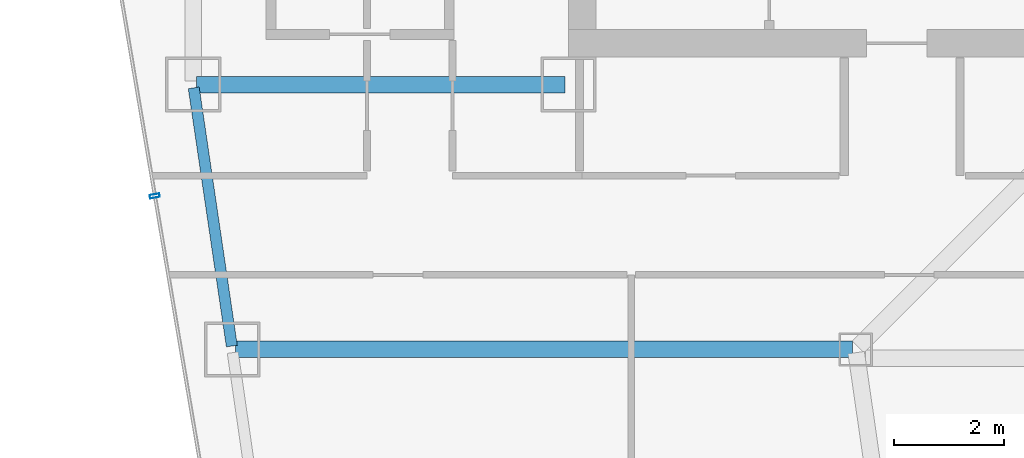
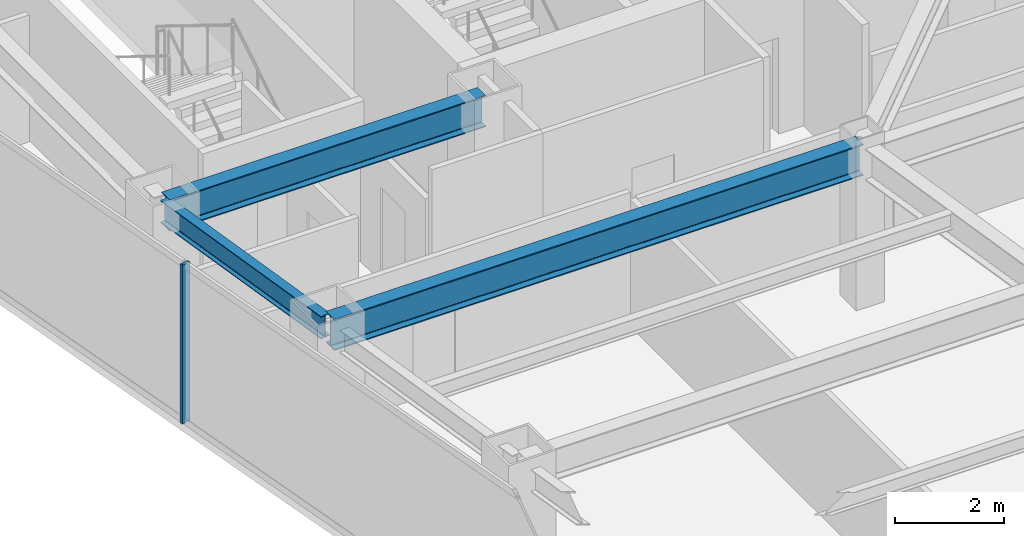
# One storey, part 9 of 36: 3 beams, 1 member, 1 element without a shape of its own.
"""IFC4 building model written with IfcOpenShell, lengths in metres."""

import ifcopenshell
import ifcopenshell.guid

model = None  # the IFC model being written
_history = None  # IfcOwnerHistory: only IFC2X3 demands one
_inside = {}  # id of a spatial element -> (the spatial element, [elements in it])
_under = {}  # id of a project, library or spatial element -> (it, [spatial elements below it])
_declared = {}  # id of a project -> (the project, [libraries it declares])
_typed = {}  # id of a type object -> (the type object, [elements of that type])
_made_of = {}  # id of a material, layer set ... -> (it, [elements and type objects made of it])


def new_model(schema):
    """Start an empty IFC model of exactly this schema.

    Asked for "IFC4X3", IfcOpenShell would pick the latest addendum, in which some entities
    have other attributes; the version numbers below select the first issue.
    IFC2X3 requires an IfcOwnerHistory on every rooted entity: one is made here for all.
    """
    global model, _history
    if schema == "IFC4X3":
        model = ifcopenshell.file(schema_version=(4, 3, 0, 0))
    else:
        model = ifcopenshell.file(schema=schema)
    _inside.clear()
    _under.clear()
    _declared.clear()
    _typed.clear()
    _made_of.clear()
    _history = None
    if model.schema == "IFC2X3":
        org = make("IfcOrganization", Name="unknown")
        user = make(
            "IfcPersonAndOrganization",
            ThePerson=make("IfcPerson", FamilyName="unknown"),
            TheOrganization=org,
        )
        app = make(
            "IfcApplication",
            ApplicationDeveloper=org,
            Version="unknown",
            ApplicationFullName="unknown",
            ApplicationIdentifier="unknown",
        )
        _history = make(
            "IfcOwnerHistory",
            OwningUser=user,
            OwningApplication=app,
            ChangeAction="ADDED",
            CreationDate=0,
        )
    return model


def make(cls, **values):
    """One entity of the class cls with the attributes given. An attribute that is None is left unset."""
    return model.create_entity(
        cls, **{name: value for name, value in values.items() if value is not None}
    )


def rooted(cls, **values):
    """An entity with a GlobalId (a new one), such as an element, a storey or a relation."""
    return make(cls, GlobalId=ifcopenshell.guid.new(), OwnerHistory=_history, **values)


def si_unit(unit_type, name, prefix=None):
    """IfcSIUnit, for example si_unit("LENGTHUNIT", "METRE", prefix="MILLI")."""
    return make("IfcSIUnit", UnitType=unit_type, Prefix=prefix, Name=name)


def assignment(units):
    """IfcUnitAssignment: the units of a project."""
    return None if units is None else make("IfcUnitAssignment", Units=units)


def point(xyz):
    """IfcCartesianPoint."""
    return None if xyz is None else make("IfcCartesianPoint", Coordinates=xyz)


def direction(xyz):
    """IfcDirection."""
    return None if xyz is None else make("IfcDirection", DirectionRatios=xyz)


def frame(location, z_axis=None, x_axis=None):
    """IfcAxis2Placement3D, a coordinate frame: its origin and axes. An axis left out is left unset."""
    return make(
        "IfcAxis2Placement3D",
        Location=point(location),
        Axis=direction(z_axis),
        RefDirection=direction(x_axis),
    )


def frame_2d(location, x_axis=None):
    """IfcAxis2Placement2D, a coordinate frame in the plane: its origin and x axis."""
    return make(
        "IfcAxis2Placement2D", Location=point(location), RefDirection=direction(x_axis)
    )


def origin():
    """The frame at (0, 0, 0) with its axes left unset."""
    return frame((0.0, 0.0, 0.0))


def origin_2d():
    """The frame at (0, 0) in the plane with its x axis left unset."""
    return frame_2d((0.0, 0.0))


def place(relative_to, where):
    """IfcLocalPlacement: puts the frame where relative to a parent placement (None: the world)."""
    return make(
        "IfcLocalPlacement", PlacementRelTo=relative_to, RelativePlacement=where
    )


def context(
    kind, dimensions, precision=None, world=None, true_north=None, identifier=None
):
    """IfcGeometricRepresentationContext, for example the 3D "Model" context."""
    return make(
        "IfcGeometricRepresentationContext",
        ContextIdentifier=identifier,
        ContextType=kind,
        CoordinateSpaceDimension=dimensions,
        Precision=precision,
        WorldCoordinateSystem=world,
        TrueNorth=true_north,
    )


def subcontext(parent, identifier, kind, view, scale=None):
    """IfcGeometricRepresentationSubContext, for example "Body" below "Model"."""
    return make(
        "IfcGeometricRepresentationSubContext",
        ContextIdentifier=identifier,
        ContextType=kind,
        ParentContext=parent,
        TargetScale=scale,
        TargetView=view,
    )


def project(units=None, contexts=None):
    """IfcProject with its units and contexts."""
    return rooted(
        "IfcProject",
        Name="project",
        RepresentationContexts=contexts,
        UnitsInContext=assignment(units),
    )


def spatial(cls, under=None, at=None, **own):
    """A site, building, storey or space (cls), placed at a placement, below another one or the project."""
    s = rooted(cls, ObjectPlacement=at, **own)
    if under is not None:
        _under.setdefault(under.id(), (under, []))[1].append(s)
    return s


def profile(cls, at=None, kind="AREA", **sizes):
    """A parametric profile (cls). Its sizes go by their IFC names, for example OverallWidth=200.0."""
    return make(cls, ProfileType=kind, Position=at, **sizes)


def hollow_rectangle(**sizes):
    """IfcRectangleHollowProfileDef."""
    return profile("IfcRectangleHollowProfileDef", **sizes)


def i_section(**sizes):
    """IfcIShapeProfileDef."""
    return profile("IfcIShapeProfileDef", **sizes)


def extrude(swept, where, along, depth):
    """IfcExtrudedAreaSolid: the profile swept, set in the frame where, extruded along a direction by depth."""
    return make(
        "IfcExtrudedAreaSolid",
        SweptArea=swept,
        Position=where,
        ExtrudedDirection=direction(along),
        Depth=depth,
    )


def shape(context_of_items, identifier, shape_type, items):
    """IfcShapeRepresentation: the items that make up one representation, for example the "Body"."""
    return make(
        "IfcShapeRepresentation",
        ContextOfItems=context_of_items,
        RepresentationIdentifier=identifier,
        RepresentationType=shape_type,
        Items=items,
    )


def material(Name=None, Category=None):
    """IfcMaterial."""
    return make("IfcMaterial", Name=Name, Category=Category)


def material_profile(
    of_material, cross_section, Name=None, Category=None, Priority=None
):
    """IfcMaterialProfile: a cross section and its material."""
    return make(
        "IfcMaterialProfile",
        Name=Name,
        Material=of_material,
        Profile=cross_section,
        Priority=Priority,
        Category=Category,
    )


def profile_set(profiles, Name=None, composite=None):
    """IfcMaterialProfileSet."""
    return make(
        "IfcMaterialProfileSet",
        Name=Name,
        MaterialProfiles=profiles,
        CompositeProfile=composite,
    )


def made_of(thing, what):
    """Note that an element or type object is made of a material, layer set ...; save() writes the relation."""
    if what is not None:
        _made_of.setdefault(what.id(), (what, []))[1].append(thing)
    return thing


def type_object(cls, material=None, **own):
    """A type object (cls), such as IfcWallType, which elements share."""
    return made_of(rooted(cls, **own), material)


def element(
    cls,
    number,
    at=None,
    inside=None,
    cuts=None,
    type_object=None,
    material=None,
    context=None,
    identifier="Body",
    shape_type=None,
    held_by="IfcProductDefinitionShape",
    body=None,
    shapes=None,
    **own,
):
    """One element of the class cls, such as IfcWall. Its Tag is "e" and its number.

    at: its placement. inside: the storey or other place that contains it. cuts: it is an
    opening in that element (IfcRelVoidsElement). A single representation is given by context,
    identifier, shape_type and body (its items); several are given by shapes. held_by: the class
    of the entity that holds the representations. save() writes the other relations.
    """
    e = rooted(cls, Tag="e%d" % number, ObjectPlacement=at, **own)
    if body is not None:
        shapes = [shape(context, identifier, shape_type, body)]
    if shapes is not None:
        e.Representation = make(held_by, Representations=shapes)
    if inside is not None:
        _inside.setdefault(inside.id(), (inside, []))[1].append(e)
    if cuts is not None:
        rooted(
            "IfcRelVoidsElement", RelatingBuildingElement=cuts, RelatedOpeningElement=e
        )
    if type_object is not None:
        _typed.setdefault(type_object.id(), (type_object, []))[1].append(e)
    return made_of(e, material)


def aggregate(whole, parts):
    """IfcRelAggregates: a whole, such as a stair, and the parts it consists of."""
    return rooted("IfcRelAggregates", RelatingObject=whole, RelatedObjects=parts)


def save(model, path):
    """Write the relations noted so far, then the file.

    IfcRelAggregates (storeys below a building ...), IfcRelContainedInSpatialStructure (elements
    in a storey), IfcRelDefinesByType, IfcRelAssociatesMaterial and IfcRelDeclares: one each for
    every whole, place, type object, material and project.
    """
    for whole, parts in _under.values():
        aggregate(whole, parts)
    for where, things in _inside.values():
        rooted(
            "IfcRelContainedInSpatialStructure",
            RelatedElements=things,
            RelatingStructure=where,
        )
    for kind, things in _typed.values():
        rooted("IfcRelDefinesByType", RelatedObjects=things, RelatingType=kind)
    for what, things in _made_of.values():
        rooted("IfcRelAssociatesMaterial", RelatedObjects=things, RelatingMaterial=what)
    for by, libraries in _declared.values():
        rooted("IfcRelDeclares", RelatingContext=by, RelatedDefinitions=libraries)
    model.write(path)


model = new_model("IFC4")

# Units and contexts
model_context = context("Model", 3, precision=1e-05, world=origin(), true_north=direction((0.0, 1.0)))
body_context = subcontext(model_context, "Body", "Model", "MODEL_VIEW")
ifc_project = project(units=[si_unit("LENGTHUNIT", "METRE"), si_unit("AREAUNIT", "SQUARE_METRE"), si_unit("VOLUMEUNIT", "CUBIC_METRE"), si_unit("PLANEANGLEUNIT", "RADIAN"), si_unit("MASSUNIT", "GRAM", prefix="KILO")], contexts=[model_context])

# Site, building, storey
site_placement = place(None, origin())
site = spatial("IfcSite", under=ifc_project, at=site_placement, CompositionType="ELEMENT")
building_placement = place(site_placement, origin())
building = spatial("IfcBuilding", under=site, at=building_placement, Name="Saevonmaru Cultural Tower", CompositionType="ELEMENT")
storey_placement = place(building_placement, frame((0.0, 0.0, 171.39990234375)))
storey = spatial("IfcBuildingStorey", under=building, at=storey_placement, Name="L38", CompositionType="ELEMENT", Elevation=171.39990234375)

# Beams
ifc_material_1 = material(Name="Steel SM355", Category="steel")
ifc_material_profile_1 = material_profile(ifc_material_1, i_section(OverallWidth=0.300048828125, OverallDepth=0.699951171875, WebThickness=0.012939453125, FlangeThickness=0.02392578125, FilletRadius=0.02587890625, at=origin_2d()), Name="H-700x300x13x24")
ifc_profile_set_1 = profile_set([ifc_material_profile_1], Name="Steel SM355")
beam_type_1 = type_object("IfcBeamType", Name="BM-G-H700", PredefinedType="BEAM", material=ifc_profile_set_1)
beam_1_placement = place(storey_placement, frame((6.860107421875, 42.39990234375, 3.2001953125), z_axis=(1.0, 0.0, 0.0), x_axis=(0.0, 1.0, 0.0)))
element("IfcBeam", 1, at=beam_1_placement, inside=storey, type_object=beam_type_1, Name="L38 Core South Girder 1", PredefinedType="BEAM", context=body_context, shape_type="SweptSolid", body=[
    extrude(i_section(OverallWidth=0.300048828125, OverallDepth=0.699951171875, WebThickness=0.012939453125, FlangeThickness=0.02392578125, FilletRadius=0.02587890625, at=origin_2d()), origin(), (0.0, 0.0, 1.0), 6.679931640625),
])
beam_2_placement = place(storey_placement, frame((7.568115234375, 37.60009765625, 3.2001953125), z_axis=(1.0, 0.0, 0.0), x_axis=(0.0, 1.0, 0.0)))
element("IfcBeam", 2, at=beam_2_placement, inside=storey, type_object=beam_type_1, Name="L38 West Wing Transverse Girder 4", PredefinedType="BEAM", context=body_context, shape_type="SweptSolid", body=[
    extrude(i_section(OverallWidth=0.300048828125, OverallDepth=0.699951171875, WebThickness=0.012939453125, FlangeThickness=0.02392578125, FilletRadius=0.02587890625, at=origin_2d()), origin(), (0.0, 0.0, 1.0), 11.179931640625),
])
ifc_material_profile_2 = material_profile(ifc_material_1, i_section(OverallWidth=0.199951171875, OverallDepth=0.5, WebThickness=0.010009765625, FlangeThickness=0.01611328125, FilletRadius=0.02001953125, at=origin_2d()), Name="H-500x200x10x16")
ifc_profile_set_2 = profile_set([ifc_material_profile_2], Name="Steel SM355")
beam_type_2 = type_object("IfcBeamType", Name="BM-SP-H500", PredefinedType="SPANDREL", material=ifc_profile_set_2)
beam_3_placement = place(storey_placement, frame((7.499267578125, 37.659423828125, 3.300048828125), z_axis=(-0.145912860028, 0.989297446312, 0.0), x_axis=(-0.989297446312, -0.145912860028, 0.0)))
element("IfcBeam", 3, at=beam_3_placement, inside=storey, type_object=beam_type_2, Name="L38 West Splayed Spandrel 4", PredefinedType="SPANDREL", context=body_context, shape_type="SweptSolid", body=[
    extrude(i_section(OverallWidth=0.199951171875, OverallDepth=0.5, WebThickness=0.010009765625, FlangeThickness=0.01611328125, FilletRadius=0.02001953125, at=origin_2d()), origin(), (0.0, 0.0, 1.0), 4.731689453125),
])

# Curtain wall, member
ifc_material_2 = material(Name="Satin Bronze Anodised Aluminium", Category="aluminium")
curtain_wall_type = type_object("IfcCurtainWallType", Name="CW-TYP-A", PredefinedType="NOTDEFINED", material=ifc_material_2)
curtain_wall_placement = place(storey_placement, origin())
curtain_wall = element("IfcCurtainWall", 4, at=curtain_wall_placement, inside=storey, type_object=curtain_wall_type, Name="L38 Unitised Curtain Wall E12", PredefinedType="NOTDEFINED")
ifc_material_profile_3 = material_profile(ifc_material_2, hollow_rectangle(XDim=0.06494140625, YDim=0.179931640625, WallThickness=0.00390625, at=origin_2d()), Name="ALU-MULL-180x65x4")
ifc_profile_set_3 = profile_set([ifc_material_profile_3], Name="Satin Bronze Anodised Aluminium")
member_type = type_object("IfcMemberType", Name="ML-CW-180x65", PredefinedType="MULLION", material=ifc_profile_set_3)
member_placement = place(storey_placement, frame((6.1025390625, 40.38037109375, 0.0), z_axis=(0.0, 0.0, 1.0), x_axis=(0.16692169721, -0.985970155228, 0.0)))
member = element("IfcMember", 5, at=member_placement, type_object=member_type, Name="CW-TW-L38-E12 mullion 2", PredefinedType="MULLION", context=body_context, shape_type="SweptSolid", body=[
    extrude(hollow_rectangle(XDim=0.06494140625, YDim=0.179931640625, WallThickness=0.00390625, at=origin_2d()), origin(), (0.0, 0.0, 1.0), 3.550048828125),
])
aggregate(curtain_wall, [member])

save(model, "model.ifc")
